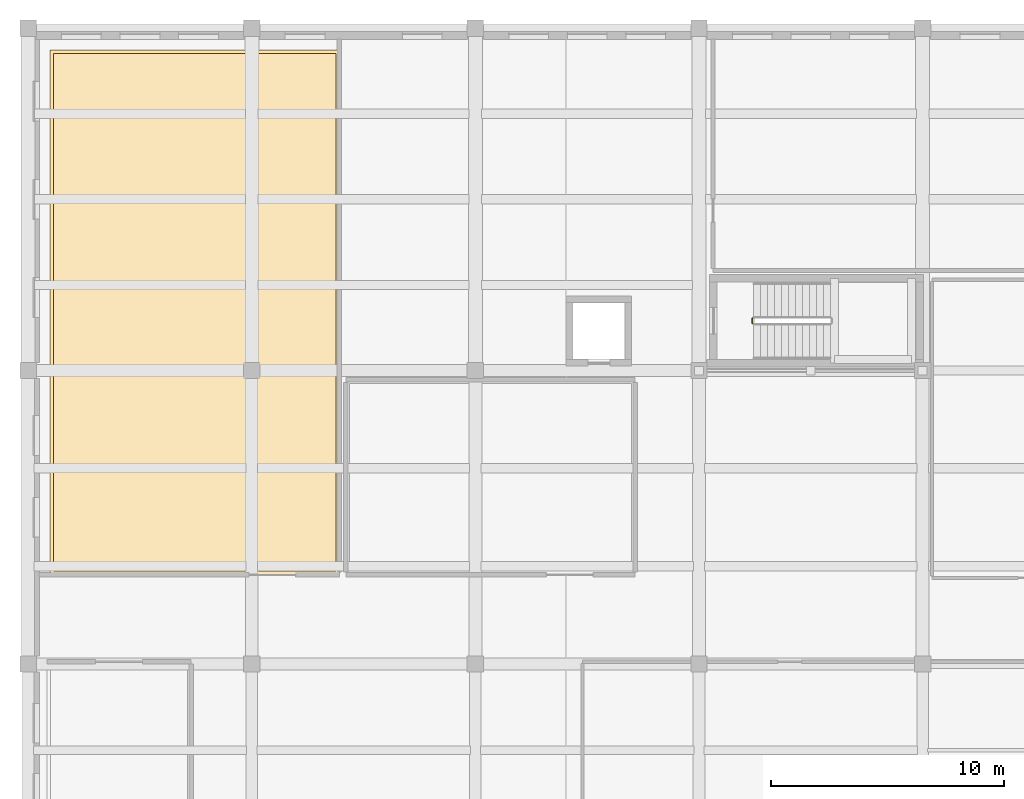
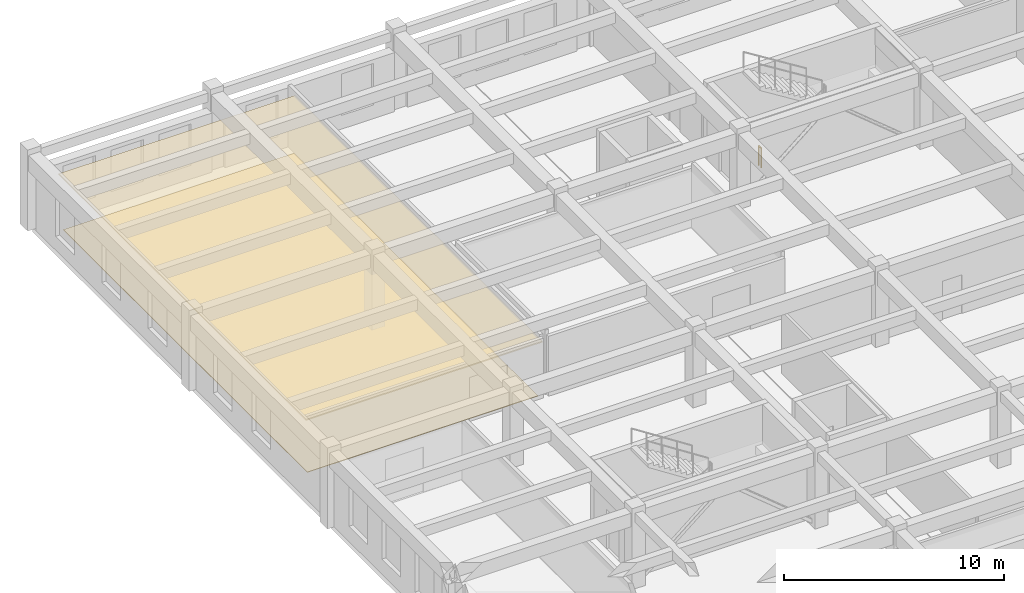
# One storey, part 86 of 92: 2 coverings, 1 railing.
"""IFC4 building model written with IfcOpenShell, lengths in metres."""

from ifc_helpers import new_model, si_unit, direction, frame, origin, origin_2d, place, context, subcontext, project, spatial, polyline, circle, outline, extrude, material, layer, layer_set, type_object, element, save


model = new_model("IFC4")

# Units and contexts
model_context = context("Model", 3, precision=1e-05, world=origin(), true_north=direction((0.0, 1.0)))
body_context = subcontext(model_context, "Body", "Model", "MODEL_VIEW")
ifc_project = project(units=[si_unit("LENGTHUNIT", "METRE"), si_unit("AREAUNIT", "SQUARE_METRE"), si_unit("VOLUMEUNIT", "CUBIC_METRE"), si_unit("PLANEANGLEUNIT", "RADIAN"), si_unit("MASSUNIT", "GRAM", prefix="KILO")], contexts=[model_context])

# Site, building, storey
site_placement = place(None, origin())
site = spatial("IfcSite", under=ifc_project, at=site_placement, CompositionType="ELEMENT")
building_placement = place(site_placement, origin())
building = spatial("IfcBuilding", under=site, at=building_placement, Name="Tarnavel Promenade Courthouse", CompositionType="ELEMENT")
storey_placement = place(building_placement, frame((0.0, 0.0, 5.39990234375)))
storey = spatial("IfcBuildingStorey", under=building, at=storey_placement, Name="L02", CompositionType="ELEMENT", Elevation=5.39990234375)

# Covering
ifc_material_1 = material(Name="Engineered Smoked Oak Courtroom & Chambers Parquet")
ifc_layer_1 = layer(ifc_material_1, 0.031982421875)
ifc_layer_set_1 = layer_set([ifc_layer_1], Name="Engineered Smoked Oak Courtroom & Chambers Parquet")
covering_type_1 = type_object("IfcCoveringType", Name="Engineered Smoked Oak Courtroom & Chambers Parquet (COV-FLR-OAK-32)", PredefinedType="FLOORING", material=ifc_layer_set_1)
covering_1_placement = place(storey_placement, origin())
element("IfcCovering", 1, at=covering_1_placement, inside=storey, type_object=covering_type_1, Name="L02 Civil Trial Courtroom A Architectural Flooring 0009", PredefinedType="FLOORING", context=body_context, shape_type="SweptSolid", body=[
    extrude(outline(polyline([(1.090087890625, 89.489990234375), (13.2099609375, 89.489990234375), (13.2099609375, 111.7099609375), (1.090087890625, 111.7099609375), (1.090087890625, 89.489990234375)])), origin(), (0.0, 0.0, 1.0), 0.031982421875),
])

# Railing
ifc_material_2 = material(Name="Painted Architectural Steel Core Stair Guardrail", Category="steel")
railing_type = type_object("IfcRailingType", Name="Painted Architectural Steel Core Stair Guardrail (RL-GRD-1100)", PredefinedType="GUARDRAIL", material=ifc_material_2)
railing_placement = place(storey_placement, frame((31.090087890625, 100.139892578125, 0.0)))
element("IfcRailing", 2, at=railing_placement, inside=storey, type_object=railing_type, Name="L02 ST-07 stair guard 4", PredefinedType="GUARDRAIL", context=body_context, shape_type="SweptSolid", body=[
    extrude(circle(Radius=0.02392578125, at=origin_2d()), frame((0.0, 0.0, 1.076171875), z_axis=(0.0, 1.0, 0.0), x_axis=(-1.0, 0.0, 0.0)), (0.0, 0.0, 1.0), 0.2001953125),
    extrude(circle(Radius=0.02099609375, at=origin_2d()), origin(), (0.0, 0.0, 1.0), 1.052001953125),
    extrude(circle(Radius=0.02099609375, at=origin_2d()), frame((0.0, 0.2001953125, 0.0)), (0.0, 0.0, 1.0), 1.052001953125),
])

# Covering
ifc_material_3 = material(Name="Slatted Acoustic White Oak Baffle Ceiling")
ifc_layer_2 = layer(ifc_material_3, 0.06494140625)
ifc_layer_set_2 = layer_set([ifc_layer_2], Name="Slatted Acoustic White Oak Baffle Ceiling")
covering_type_2 = type_object("IfcCoveringType", Name="Slatted Acoustic White Oak Baffle Ceiling (COV-CLG-OAK-65)", PredefinedType="CEILING", material=ifc_layer_set_2)
covering_2_placement = place(storey_placement, frame((0.0, 0.0, 3.03515625)))
element("IfcCovering", 3, at=covering_2_placement, inside=storey, type_object=covering_type_2, Name="L02 Civil Trial Courtroom A Acoustic Ceiling 0009", PredefinedType="CEILING", context=body_context, shape_type="SweptSolid", body=[
    extrude(outline(polyline([(0.93994140625, 89.340087890625), (13.360107421875, 89.340087890625), (13.360107421875, 111.860107421875), (0.93994140625, 111.860107421875), (0.93994140625, 89.340087890625)])), origin(), (0.0, 0.0, 1.0), 0.06494140625),
])

save(model, "model.ifc")
